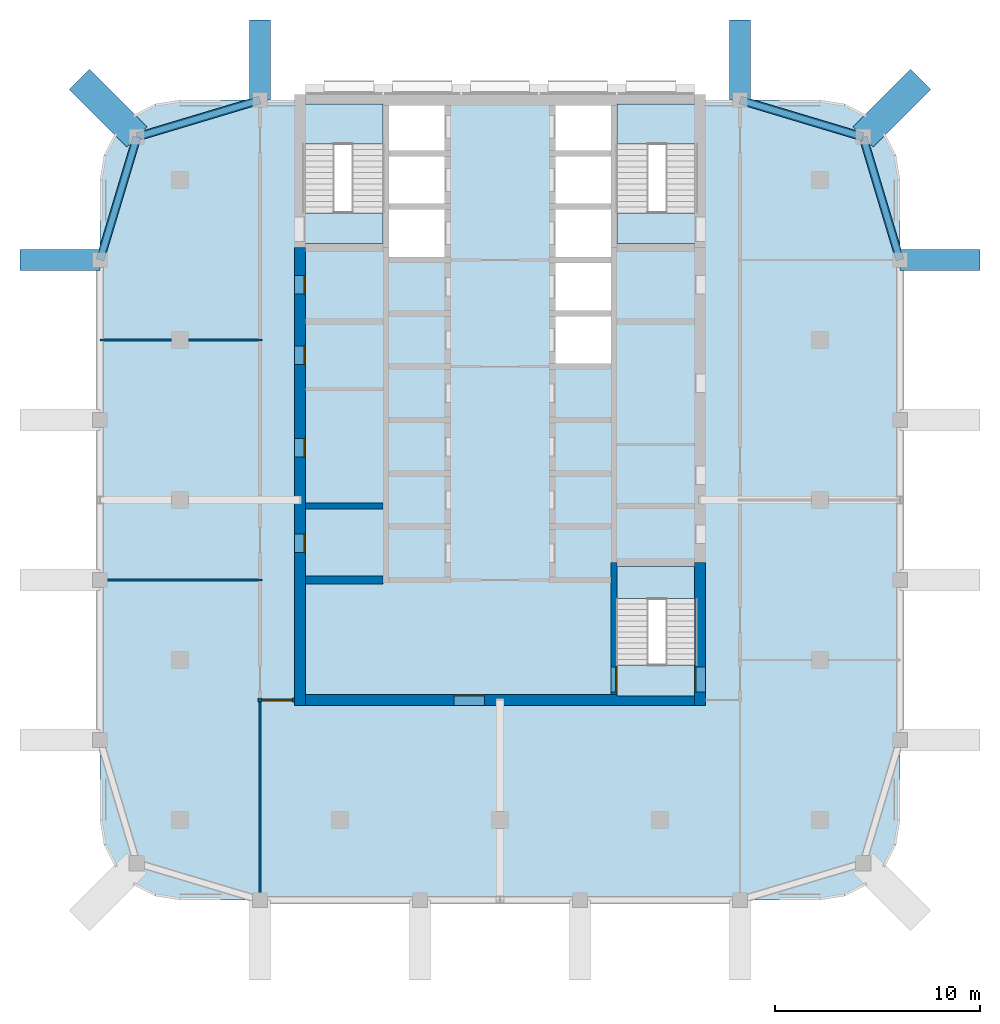
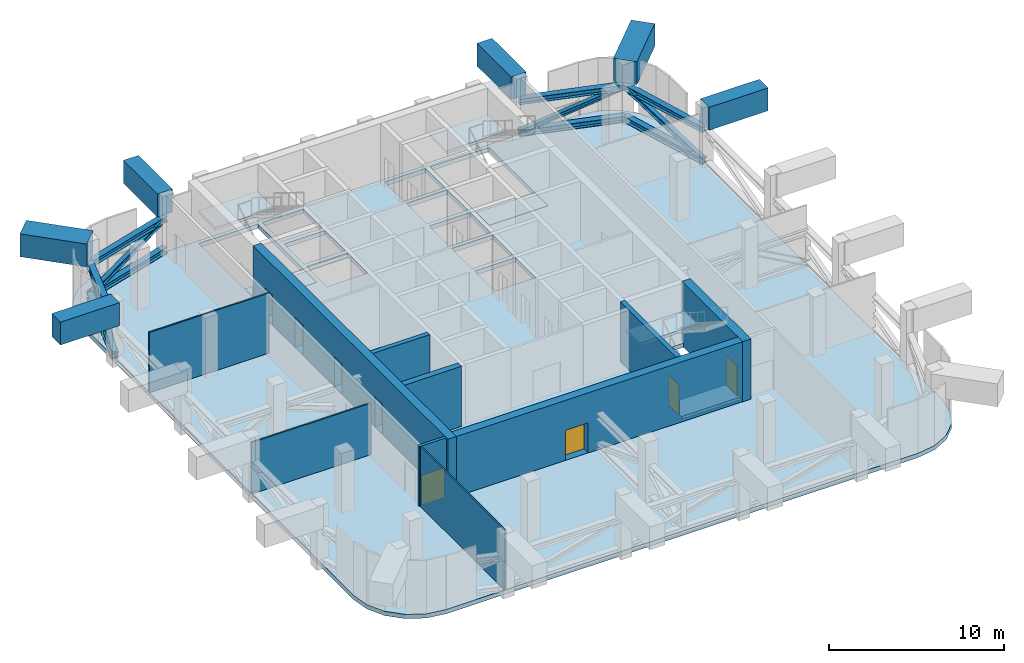
# One storey, part 5 of 13: 12 members, 10 walls, 8 doors, 7 slabs, 6 beams, 8 openings, 3 elements without a shape of their own.
"""IFC4 building model written with IfcOpenShell, lengths in metres."""

from ifc_helpers import new_model, si_unit, direction, frame, frame_2d, origin, origin_2d, place, context, subcontext, project, spatial, polyline, rectangle, i_section, outline, extrude, material, layer, layer_set, material_profile, profile_set, type_object, element, fill, aggregate, save


model = new_model("IFC4")

# Units and contexts
model_context = context("Model", 3, precision=1e-05, world=origin(), true_north=direction((0.0, 1.0)))
body_context = subcontext(model_context, "Body", "Model", "MODEL_VIEW")
ifc_project = project(units=[si_unit("LENGTHUNIT", "METRE"), si_unit("AREAUNIT", "SQUARE_METRE"), si_unit("VOLUMEUNIT", "CUBIC_METRE"), si_unit("PLANEANGLEUNIT", "RADIAN"), si_unit("MASSUNIT", "GRAM", prefix="KILO")], contexts=[model_context])

# Site, building, storey
site_placement = place(None, origin())
site = spatial("IfcSite", under=ifc_project, at=site_placement, CompositionType="ELEMENT")
building_placement = place(site_placement, origin())
building = spatial("IfcBuilding", under=site, at=building_placement, Name="Ludao Terraces", CompositionType="ELEMENT")
storey_placement = place(building_placement, frame((0.0, 0.0, 192.800048828125)))
storey = spatial("IfcBuildingStorey", under=building, at=storey_placement, Name="L52", CompositionType="ELEMENT", Elevation=192.800048828125)

# Members
ifc_material_1 = material(Name="Steel Q355", Category="steel")
ifc_material_profile_1 = material_profile(ifc_material_1, i_section(OverallWidth=0.39990234375, OverallDepth=0.39990234375, WebThickness=0.012939453125, FlangeThickness=0.02099609375, at=origin_2d()), Name="HW 400X400X13X21")
ifc_profile_set_1 = profile_set([ifc_material_profile_1], Name="Steel Q355")
member_type_1 = type_object("IfcMemberType", Name="Belt truss chord HW 400x400x13x21 Q355", PredefinedType="CHORD", material=ifc_profile_set_1)
for number, where, z_axis, x_axis, name in (
    (1, (67.300048828125, 82.699951171875, 2.39990234375), (0.957824139839, 0.287355036744, 0.0), (-0.287355036744, 0.957824139839, 0.0), "Truss chord L52 BT6T1"),
    (2, (67.300048828125, 82.699951171875, 0.199951171875), (0.957824139839, 0.287355036744, 0.0), (-0.287355036744, 0.957824139839, 0.0), "Truss chord L52 BT6B1"),
    (3, (96.699951171875, 84.5, 2.39990234375), (0.957824139839, -0.287355036744, 0.0), (0.287355036744, 0.957824139839, 0.0), "Truss chord L52 BT7T1"),
    (4, (96.699951171875, 84.5, 0.199951171875), (0.957824139839, -0.287355036744, 0.0), (0.287355036744, 0.957824139839, 0.0), "Truss chord L52 BT7B1"),
    (5, (65.5, 76.699951171875, 2.39990234375), (0.287355036744, 0.957824139839, 0.0), (-0.957824139839, 0.287355036744, 0.0), "Truss chord L52 BT12T1"),
    (6, (65.5, 76.699951171875, 0.199951171875), (0.287355036744, 0.957824139839, 0.0), (-0.957824139839, 0.287355036744, 0.0), "Truss chord L52 BT12B1"),
    (7, (104.5, 76.699951171875, 2.39990234375), (-0.287355036744, 0.957824139839, 0.0), (-0.957824139839, -0.287355036744, 0.0), "Truss chord L52 BT17T1"),
    (8, (104.5, 76.699951171875, 0.199951171875), (-0.287355036744, 0.957824139839, 0.0), (-0.957824139839, -0.287355036744, 0.0), "Truss chord L52 BT17B1"),
):
    element("IfcMember", number, at=place(storey_placement, frame(where, z_axis=z_axis, x_axis=x_axis)), inside=storey, type_object=member_type_1, Name=name, PredefinedType="CHORD", context=body_context, shape_type="SweptSolid", body=[
        extrude(i_section(OverallWidth=0.39990234375, OverallDepth=0.39990234375, WebThickness=0.012939453125, FlangeThickness=0.02099609375, at=origin_2d()), origin(), (0.0, 0.0, 1.0), 6.26416015625),
    ])
ifc_material_profile_2 = material_profile(ifc_material_1, i_section(OverallWidth=0.300048828125, OverallDepth=0.300048828125, WebThickness=0.010009765625, FlangeThickness=0.014892578125, at=origin_2d()), Name="HW 300X300X10X15")
ifc_profile_set_2 = profile_set([ifc_material_profile_2], Name="Steel Q355")
member_type_2 = type_object("IfcMemberType", Name="Belt truss diagonal HW 300x300x10x15 Q355", PredefinedType="BRACE", material=ifc_profile_set_2)
for number, where, z_axis, x_axis, name in (
    (9, (67.300048828125, 82.699951171875, 0.199951171875), (0.903713250067, 0.271121329457, 0.331354170587), (-0.287355036744, 0.957824139839, 0.0), "Truss diagonal L52 BT61"),
    (10, (96.699951171875, 84.5, 0.199951171875), (0.903713250067, -0.271121329457, 0.331354170587), (0.287355036744, 0.957824139839, 0.0), "Truss diagonal L52 BT71"),
    (11, (65.5, 76.699951171875, 0.199951171875), (0.271121329457, 0.903713250067, 0.331354170587), (-0.957824139839, 0.287355036744, 0.0), "Truss diagonal L52 BT121"),
    (12, (104.5, 76.699951171875, 0.199951171875), (-0.271121329457, 0.903713250067, 0.331354170587), (-0.957824139839, -0.287355036744, 0.0), "Truss diagonal L52 BT171"),
):
    element("IfcMember", number, at=place(storey_placement, frame(where, z_axis=z_axis, x_axis=x_axis)), inside=storey, type_object=member_type_2, Name=name, PredefinedType="BRACE", context=body_context, shape_type="SweptSolid", body=[
        extrude(i_section(OverallWidth=0.300048828125, OverallDepth=0.300048828125, WebThickness=0.010009765625, FlangeThickness=0.014892578125, at=origin_2d()), origin(), (0.0, 0.0, 1.0), 6.63916015625),
    ])

# Beams
ifc_material_2 = material(Name="Concrete C60", Category="concrete")
ifc_material_profile_3 = material_profile(ifc_material_2, rectangle(XDim=1.0, YDim=1.60009765625, at=origin_2d()), Name="1000 X 1600")
ifc_profile_set_3 = profile_set([ifc_material_profile_3], Name="Concrete C60")
beam_type_1 = type_object("IfcBeamType", Name="RC beam 1000x1600 C60", PredefinedType="BEAM", material=ifc_profile_set_3)
for number, where, z_axis, x_axis, name in (
    (13, (61.60009765625, 76.699951171875, 3.39990234375), (1.0, 0.0, 0.0), (0.0, 1.0, 0.0), "Transfer girder L52 corbel 4"),
    (14, (73.300048828125, 88.39990234375, 3.39990234375), (0.0, -1.0, 0.0), (1.0, 0.0, 0.0), "Transfer girder L52 corbel 6"),
    (15, (96.699951171875, 88.39990234375, 3.39990234375), (0.0, -1.0, 0.0), (1.0, 0.0, 0.0), "Transfer girder L52 corbel 10"),
    (16, (108.39990234375, 76.699951171875, 3.39990234375), (-1.0, 0.0, 0.0), (0.0, -1.0, 0.0), "Transfer girder L52 corbel 14"),
):
    element("IfcBeam", number, at=place(storey_placement, frame(where, z_axis=z_axis, x_axis=x_axis)), inside=storey, type_object=beam_type_1, Name=name, PredefinedType="BEAM", context=body_context, shape_type="SweptSolid", body=[
        extrude(rectangle(XDim=1.0, YDim=1.60009765625, at=origin_2d()), origin(), (0.0, 0.0, 1.0), 3.89990234375),
    ])
ifc_material_profile_4 = material_profile(ifc_material_2, rectangle(XDim=1.39990234375, YDim=1.60009765625, at=origin_2d()), Name="1400 X 1600")
ifc_profile_set_4 = profile_set([ifc_material_profile_4], Name="Concrete C60")
beam_type_2 = type_object("IfcBeamType", Name="RC beam 1400x1600 C60", PredefinedType="BEAM", material=ifc_profile_set_4)
for number, where, z_axis, x_axis, name in (
    (17, (64.5, 85.5, 3.39990234375), (0.707106781187, -0.707106781187, 0.0), (0.707106781187, 0.707106781187, 0.0), "Transfer girder L52 corner NW"),
    (18, (105.5, 85.5, 3.39990234375), (-0.707106781187, -0.707106781187, 0.0), (0.707106781187, -0.707106781187, 0.0), "Transfer girder L52 corner NE"),
):
    element("IfcBeam", number, at=place(storey_placement, frame(where, z_axis=z_axis, x_axis=x_axis)), inside=storey, type_object=beam_type_2, Name=name, PredefinedType="BEAM", context=body_context, shape_type="SweptSolid", body=[
        extrude(rectangle(XDim=1.39990234375, YDim=1.60009765625, at=origin_2d()), origin(), (0.0, 0.0, 1.0), 3.9599609375),
    ])

# Slab
ifc_material_3 = material(Name="Concrete C40", Category="concrete")
ifc_layer_1 = layer(ifc_material_3, 0.300048828125)
ifc_layer_set_1 = layer_set([ifc_layer_1], Name="Floor slab 300 C40")
slab_type_1 = type_object("IfcSlabType", Name="Floor slab 300 C40", PredefinedType="FLOOR", material=ifc_layer_set_1)
slab_1_placement = place(storey_placement, frame((0.0, 0.0, -0.300048828125)))
element("IfcSlab", 19, at=slab_1_placement, inside=storey, type_object=slab_type_1, Name="Slab L52", PredefinedType="FLOOR", context=body_context, shape_type="SweptSolid", body=[
    extrude(outline(polyline([(100.60009765625, 45.5), (101.80517578125, 45.69091796875), (102.892333984375, 46.244873046875), (103.755126953125, 47.107666015625), (104.30908203125, 48.19482421875), (104.5, 49.39990234375), (104.5, 80.60009765625), (104.30908203125, 81.80517578125), (103.755126953125, 82.892333984375), (102.892333984375, 83.755126953125), (101.80517578125, 84.30908203125), (100.60009765625, 84.5), (69.39990234375, 84.5), (68.19482421875, 84.30908203125), (67.107666015625, 83.755126953125), (66.244873046875, 82.892333984375), (65.69091796875, 81.80517578125), (65.5, 80.60009765625), (65.5, 49.39990234375), (65.69091796875, 48.19482421875), (66.244873046875, 47.107666015625), (67.107666015625, 46.244873046875), (68.19482421875, 45.69091796875), (69.39990234375, 45.5), (100.60009765625, 45.5)]), holes=[polyline([(79.60009765625, 76.85009765625), (82.300048828125, 76.85009765625), (82.300048828125, 79.14990234375), (79.60009765625, 79.14990234375), (79.60009765625, 76.85009765625)]), polyline([(79.60009765625, 79.449951171875), (82.300048828125, 79.449951171875), (82.300048828125, 81.75), (79.60009765625, 81.75), (79.60009765625, 79.449951171875)]), polyline([(79.60009765625, 82.050048828125), (82.300048828125, 82.050048828125), (82.300048828125, 84.239990234375), (79.60009765625, 84.239990234375), (79.60009765625, 82.050048828125)]), polyline([(87.699951171875, 71.64990234375), (90.39990234375, 71.64990234375), (90.39990234375, 73.949951171875), (87.699951171875, 73.949951171875), (87.699951171875, 71.64990234375)]), polyline([(87.699951171875, 74.25), (90.39990234375, 74.25), (90.39990234375, 76.550048828125), (87.699951171875, 76.550048828125), (87.699951171875, 74.25)]), polyline([(87.699951171875, 76.85009765625), (90.39990234375, 76.85009765625), (90.39990234375, 79.14990234375), (87.699951171875, 79.14990234375), (87.699951171875, 76.85009765625)]), polyline([(87.699951171875, 79.449951171875), (90.39990234375, 79.449951171875), (90.39990234375, 81.75), (87.699951171875, 81.75), (87.699951171875, 79.449951171875)]), polyline([(87.699951171875, 82.050048828125), (90.39990234375, 82.050048828125), (90.39990234375, 84.239990234375), (87.699951171875, 84.239990234375), (87.699951171875, 82.050048828125)]), polyline([(75.39990234375, 77.5), (79.300048828125, 77.5), (79.300048828125, 84.239990234375), (75.39990234375, 84.239990234375), (75.39990234375, 77.5)]), polyline([(90.699951171875, 77.5), (94.60009765625, 77.5), (94.60009765625, 84.239990234375), (90.699951171875, 84.239990234375), (90.699951171875, 77.5)]), polyline([(90.699951171875, 55.449951171875), (94.60009765625, 55.449951171875), (94.60009765625, 61.75), (90.699951171875, 61.75), (90.699951171875, 55.449951171875)])]), origin(), (0.0, 0.0, 1.0), 0.300048828125),
])

# Stair, slabs
stair_type = type_object("IfcStairType", Name="INT Stair", PredefinedType="HALF_TURN_STAIR", material=ifc_material_3)
stair_1_placement = place(storey_placement, origin())
stair_1 = element("IfcStair", 20, at=stair_1_placement, inside=storey, type_object=stair_type, Name="EXIT STAIR 1", PredefinedType="HALF_TURN_STAIR")
ifc_layer_2 = layer(ifc_material_3, 0.199951171875)
ifc_layer_set_2 = layer_set([ifc_layer_2], Name="INT Stair landing 200")
slab_type_2 = type_object("IfcSlabType", Name="INT Stair landing 200", PredefinedType="LANDING", material=ifc_layer_set_2)
slab_2_placement = place(storey_placement, frame((0.0, 0.0, 2.050048828125)))
slab_2 = element("IfcSlab", 21, at=slab_2_placement, type_object=slab_type_2, Name="ST1 landing 1", PredefinedType="LANDING", context=body_context, shape_type="SweptSolid", body=[
    extrude(outline(polyline([(75.39990234375, 82.360107421875), (79.300048828125, 82.360107421875), (79.300048828125, 84.300048828125), (75.39990234375, 84.300048828125), (75.39990234375, 82.360107421875)])), origin(), (0.0, 0.0, 1.0), 0.199951171875),
])
slab_3_placement = place(storey_placement, frame((0.0, 0.0, -0.199951171875)))
slab_3 = element("IfcSlab", 22, at=slab_3_placement, type_object=slab_type_2, Name="ST1 landing 2", PredefinedType="LANDING", context=body_context, shape_type="SweptSolid", body=[
    extrude(outline(polyline([(75.39990234375, 77.5), (79.300048828125, 77.5), (79.300048828125, 79.0), (75.39990234375, 79.0), (75.39990234375, 77.5)])), origin(), (0.0, 0.0, 1.0), 0.199951171875),
])
aggregate(stair_1, [slab_2, slab_3])

stair_2_placement = place(storey_placement, origin())
stair_2 = element("IfcStair", 23, at=stair_2_placement, inside=storey, type_object=stair_type, Name="EXIT STAIR 2", PredefinedType="HALF_TURN_STAIR")
slab_4_placement = place(storey_placement, frame((0.0, 0.0, 2.050048828125)))
slab_4 = element("IfcSlab", 24, at=slab_4_placement, type_object=slab_type_2, Name="ST2 landing 1", PredefinedType="LANDING", context=body_context, shape_type="SweptSolid", body=[
    extrude(outline(polyline([(90.699951171875, 82.360107421875), (94.60009765625, 82.360107421875), (94.60009765625, 84.300048828125), (90.699951171875, 84.300048828125), (90.699951171875, 82.360107421875)])), origin(), (0.0, 0.0, 1.0), 0.199951171875),
])
slab_5_placement = place(storey_placement, frame((0.0, 0.0, -0.199951171875)))
slab_5 = element("IfcSlab", 25, at=slab_5_placement, type_object=slab_type_2, Name="ST2 landing 2", PredefinedType="LANDING", context=body_context, shape_type="SweptSolid", body=[
    extrude(outline(polyline([(90.699951171875, 77.5), (94.60009765625, 77.5), (94.60009765625, 79.0), (90.699951171875, 79.0), (90.699951171875, 77.5)])), origin(), (0.0, 0.0, 1.0), 0.199951171875),
])
aggregate(stair_2, [slab_4, slab_5])

stair_3_placement = place(storey_placement, origin())
stair_3 = element("IfcStair", 26, at=stair_3_placement, inside=storey, type_object=stair_type, Name="EXIT STAIR 3", PredefinedType="HALF_TURN_STAIR")
slab_6_placement = place(storey_placement, frame((0.0, 0.0, 2.050048828125)))
slab_6 = element("IfcSlab", 27, at=slab_6_placement, type_object=slab_type_2, Name="ST3 landing 1", PredefinedType="LANDING", context=body_context, shape_type="SweptSolid", body=[
    extrude(outline(polyline([(90.699951171875, 60.18994140625), (94.60009765625, 60.18994140625), (94.60009765625, 61.75), (90.699951171875, 61.75), (90.699951171875, 60.18994140625)])), origin(), (0.0, 0.0, 1.0), 0.199951171875),
])
slab_7_placement = place(storey_placement, frame((0.0, 0.0, -0.199951171875)))
slab_7 = element("IfcSlab", 28, at=slab_7_placement, type_object=slab_type_2, Name="ST3 landing 2", PredefinedType="LANDING", context=body_context, shape_type="SweptSolid", body=[
    extrude(outline(polyline([(90.699951171875, 55.449951171875), (94.60009765625, 55.449951171875), (94.60009765625, 56.949951171875), (90.699951171875, 56.949951171875), (90.699951171875, 55.449951171875)])), origin(), (0.0, 0.0, 1.0), 0.199951171875),
])
aggregate(stair_3, [slab_6, slab_7])

# Wall, openings, doors
ifc_layer_3 = layer(ifc_material_2, 0.550048828125)
ifc_layer_set_3 = layer_set([ifc_layer_3], Name="Core wall 550 C60")
wall_type_1 = type_object("IfcWallType", Name="Core wall 550 C60", PredefinedType="SOLIDWALL", material=ifc_layer_set_3)
wall_1_placement = place(storey_placement, frame((75.25, 54.97509765625, -0.300048828125), z_axis=(0.0, 0.0, 1.0), x_axis=(0.0, 1.0, 0.0)))
wall_1 = element("IfcWall", 29, at=wall_1_placement, inside=storey, type_object=wall_type_1, Name="Core wall L52 outer-W", PredefinedType="SOLIDWALL", context=body_context, shape_type="SweptSolid", body=[
    extrude(rectangle(XDim=22.324951171875, YDim=0.550048828125, at=frame_2d((11.16259765625, 0.0))), origin(), (0.0, 0.0, 1.0), 4.5),
])
opening_1_placement = place(wall_1_placement, frame((7.47509765625, 0.0, 0.300048828125)))
opening_1 = element("IfcOpeningElement", 30, at=opening_1_placement, cuts=wall_1, Name="Opening L52-012", PredefinedType="OPENING", context=body_context, shape_type="SweptSolid", body=[
    extrude(rectangle(XDim=0.89990234375, YDim=2.10009765625, at=frame_2d((0.449951171875, 1.050048828125))), frame((0.0, 0.28515625, 0.0), z_axis=(0.0, -1.0, 0.0), x_axis=(1.0, 0.0, 0.0)), (0.0, 0.0, 1.0), 0.570068359375),
])
opening_2_placement = place(wall_1_placement, frame((12.125, 0.0, 0.300048828125)))
opening_2 = element("IfcOpeningElement", 31, at=opening_2_placement, cuts=wall_1, Name="Opening L52-019", PredefinedType="OPENING", context=body_context, shape_type="SweptSolid", body=[
    extrude(rectangle(XDim=0.89990234375, YDim=2.10009765625, at=frame_2d((0.449951171875, 1.050048828125))), frame((0.0, 0.28515625, 0.0), z_axis=(0.0, -1.0, 0.0), x_axis=(1.0, 0.0, 0.0)), (0.0, 0.0, 1.0), 0.570068359375),
])
opening_3_placement = place(wall_1_placement, frame((16.625, 0.0, 0.300048828125)))
opening_3 = element("IfcOpeningElement", 32, at=opening_3_placement, cuts=wall_1, Name="Opening L52-026", PredefinedType="OPENING", context=body_context, shape_type="SweptSolid", body=[
    extrude(rectangle(XDim=0.89990234375, YDim=2.10009765625, at=frame_2d((0.449951171875, 1.050048828125))), frame((0.0, 0.28515625, 0.0), z_axis=(0.0, -1.0, 0.0), x_axis=(1.0, 0.0, 0.0)), (0.0, 0.0, 1.0), 0.570068359375),
])
opening_4_placement = place(wall_1_placement, frame((20.074951171875, 0.0, 0.300048828125)))
opening_4 = element("IfcOpeningElement", 33, at=opening_4_placement, cuts=wall_1, Name="Opening L52-031", PredefinedType="OPENING", context=body_context, shape_type="SweptSolid", body=[
    extrude(rectangle(XDim=0.89990234375, YDim=2.10009765625, at=frame_2d((0.449951171875, 1.050048828125))), frame((0.0, 0.28515625, 0.0), z_axis=(0.0, -1.0, 0.0), x_axis=(1.0, 0.0, 0.0)), (0.0, 0.0, 1.0), 0.570068359375),
])
ifc_material_4 = material(Name="Steel Q235", Category="steel")
door_type_1 = type_object("IfcDoorType", Name="INT Riser door 900", OperationType="SINGLE_SWING_LEFT", PredefinedType="DOOR", material=ifc_material_4)
door_1_placement = place(opening_1_placement, origin())
door_1 = element("IfcDoor", 34, at=door_1_placement, inside=storey, type_object=door_type_1, Name="DOOR 012", OperationType="SINGLE_SWING_RIGHT", OverallHeight=2.10009765625, OverallWidth=0.89990234375, PredefinedType="DOOR", context=body_context, shape_type="SweptSolid", body=[
    extrude(rectangle(XDim=0.89990234375, YDim=2.10009765625, at=frame_2d((0.449951171875, 1.050048828125))), frame((0.0, -0.2099609375, 0.0), z_axis=(0.0, -1.0, 0.0), x_axis=(1.0, 0.0, 0.0)), (0.0, 0.0, 1.0), 0.050048828125),
])
fill(opening_1, door_1)
door_2_placement = place(opening_4_placement, origin())
door_2 = element("IfcDoor", 35, at=door_2_placement, inside=storey, type_object=door_type_1, Name="DOOR 031", OperationType="SINGLE_SWING_RIGHT", OverallHeight=2.10009765625, OverallWidth=0.89990234375, PredefinedType="DOOR", context=body_context, shape_type="SweptSolid", body=[
    extrude(rectangle(XDim=0.89990234375, YDim=2.10009765625, at=frame_2d((0.449951171875, 1.050048828125))), frame((0.0, -0.2099609375, 0.0), z_axis=(0.0, -1.0, 0.0), x_axis=(1.0, 0.0, 0.0)), (0.0, 0.0, 1.0), 0.050048828125),
])
fill(opening_4, door_2)
ifc_material_5 = material(Name="Timber door leaf", Category="wood")
door_type_2 = type_object("IfcDoorType", Name="INT Room door 900", OperationType="SINGLE_SWING_LEFT", PredefinedType="DOOR", material=ifc_material_5)
door_3_placement = place(opening_2_placement, origin())
door_3 = element("IfcDoor", 36, at=door_3_placement, inside=storey, type_object=door_type_2, Name="DOOR 019", OperationType="SINGLE_SWING_RIGHT", OverallHeight=2.10009765625, OverallWidth=0.89990234375, PredefinedType="DOOR", context=body_context, shape_type="SweptSolid", body=[
    extrude(rectangle(XDim=0.89990234375, YDim=2.10009765625, at=frame_2d((0.449951171875, 1.050048828125))), frame((0.0, -0.2099609375, 0.0), z_axis=(0.0, -1.0, 0.0), x_axis=(1.0, 0.0, 0.0)), (0.0, 0.0, 1.0), 0.050048828125),
])
fill(opening_2, door_3)
door_4_placement = place(opening_3_placement, origin())
door_4 = element("IfcDoor", 37, at=door_4_placement, inside=storey, type_object=door_type_2, Name="DOOR 026", OperationType="SINGLE_SWING_LEFT", OverallHeight=2.10009765625, OverallWidth=0.89990234375, PredefinedType="DOOR", context=body_context, shape_type="SweptSolid", body=[
    extrude(rectangle(XDim=0.89990234375, YDim=2.10009765625, at=frame_2d((0.449951171875, 1.050048828125))), frame((0.0, -0.2099609375, 0.0), z_axis=(0.0, -1.0, 0.0), x_axis=(1.0, 0.0, 0.0)), (0.0, 0.0, 1.0), 0.050048828125),
])
fill(opening_3, door_4)

# Wall, opening, door
wall_2_placement = place(storey_placement, frame((94.75, 54.97509765625, -0.300048828125), z_axis=(0.0, 0.0, 1.0), x_axis=(0.0, 1.0, 0.0)))
wall_2 = element("IfcWall", 38, at=wall_2_placement, inside=storey, type_object=wall_type_1, Name="Core wall L52 outer-E-S3", PredefinedType="SOLIDWALL", context=body_context, shape_type="SweptSolid", body=[
    extrude(rectangle(XDim=6.974853515625, YDim=0.550048828125, at=frame_2d((3.4873046875, 0.0))), origin(), (0.0, 0.0, 1.0), 4.5),
])
opening_5_placement = place(wall_2_placement, frame((0.675048828125, 0.0, 0.300048828125)))
opening_5 = element("IfcOpeningElement", 39, at=opening_5_placement, cuts=wall_2, Name="Opening L52-005", PredefinedType="OPENING", context=body_context, shape_type="SweptSolid", body=[
    extrude(rectangle(XDim=1.199951171875, YDim=2.10009765625, at=frame_2d((0.60009765625, 1.050048828125))), frame((0.0, 0.28515625, 0.0), z_axis=(0.0, -1.0, 0.0), x_axis=(1.0, 0.0, 0.0)), (0.0, 0.0, 1.0), 0.570068359375),
])
door_type_3 = type_object("IfcDoorType", Name="INT Stair door 1200", OperationType="DOUBLE_DOOR_SINGLE_SWING", PredefinedType="DOOR", material=ifc_material_4)
door_5_placement = place(opening_5_placement, origin())
door_5 = element("IfcDoor", 40, at=door_5_placement, inside=storey, type_object=door_type_3, Name="DOOR 005", OperationType="DOUBLE_DOOR_SINGLE_SWING", OverallHeight=2.10009765625, OverallWidth=1.199951171875, PredefinedType="DOOR", context=body_context, shape_type="SweptSolid", body=[
    extrude(rectangle(XDim=1.199951171875, YDim=2.10009765625, at=frame_2d((0.60009765625, 1.050048828125))), frame((0.0, 0.26025390625, 0.0), z_axis=(0.0, -1.0, 0.0), x_axis=(1.0, 0.0, 0.0)), (0.0, 0.0, 1.0), 0.050048828125),
])
fill(opening_5, door_5)

wall_3_placement = place(storey_placement, frame((75.52490234375, 55.25, -0.300048828125), z_axis=(0.0, 0.0, 1.0), x_axis=(1.0, 0.0, 0.0)))
wall_3 = element("IfcWall", 41, at=wall_3_placement, inside=storey, type_object=wall_type_1, Name="Core wall L52 outer-S", PredefinedType="SOLIDWALL", context=body_context, shape_type="SweptSolid", body=[
    extrude(rectangle(XDim=18.9501953125, YDim=0.550048828125, at=frame_2d((9.47509765625, 0.0))), origin(), (0.0, 0.0, 1.0), 4.5),
])
opening_6_placement = place(wall_3_placement, frame((7.22509765625, 0.0, 0.300048828125)))
opening_6 = element("IfcOpeningElement", 42, at=opening_6_placement, cuts=wall_3, Name="Opening L52-002", PredefinedType="OPENING", context=body_context, shape_type="SweptSolid", body=[
    extrude(rectangle(XDim=1.5, YDim=2.10009765625, at=frame_2d((0.75, 1.050048828125))), frame((0.0, 0.28515625, 0.0), z_axis=(0.0, -1.0, 0.0), x_axis=(1.0, 0.0, 0.0)), (0.0, 0.0, 1.0), 0.570068359375),
])
door_type_4 = type_object("IfcDoorType", Name="INT Lobby door 1500", OperationType="DOUBLE_DOOR_SINGLE_SWING", PredefinedType="DOOR", material=ifc_material_4)
door_6_placement = place(opening_6_placement, origin())
door_6 = element("IfcDoor", 43, at=door_6_placement, inside=storey, type_object=door_type_4, Name="DOOR 002", OperationType="DOUBLE_DOOR_SINGLE_SWING", OverallHeight=2.10009765625, OverallWidth=1.5, PredefinedType="DOOR", context=body_context, shape_type="SweptSolid", body=[
    extrude(rectangle(XDim=1.5, YDim=2.10009765625, at=frame_2d((0.75, 1.050048828125))), frame((0.0, 0.26025390625, 0.0), z_axis=(0.0, -1.0, 0.0), x_axis=(1.0, 0.0, 0.0)), (0.0, 0.0, 1.0), 0.050048828125),
])
fill(opening_6, door_6)

ifc_material_6 = material(Name="Autoclaved aerated concrete block B06 A3.5", Category="concrete")
ifc_layer_4 = layer(ifc_material_6, 0.199951171875)
ifc_layer_set_4 = layer_set([ifc_layer_4], Name="INT Entrance wall 200")
wall_type_2 = type_object("IfcWallType", Name="INT Entrance wall 200", PredefinedType="PARTITIONING", material=ifc_layer_set_4)
wall_4_placement = place(storey_placement, frame((73.2001953125, 55.25, 0.0), z_axis=(0.0, 0.0, 1.0), x_axis=(1.0, 0.0, 0.0)))
wall_4 = element("IfcWall", 44, at=wall_4_placement, inside=storey, type_object=wall_type_2, Name="PW-L52-PW000", PredefinedType="PARTITIONING", context=body_context, shape_type="SweptSolid", body=[
    extrude(rectangle(XDim=1.77490234375, YDim=0.199951171875, at=frame_2d((0.887451171875, 0.0))), origin(), (0.0, 0.0, 1.0), 4.199951171875),
])
opening_7_placement = place(wall_4_placement, frame((0.1748046875, 0.0, 0.0)))
opening_7 = element("IfcOpeningElement", 45, at=opening_7_placement, cuts=wall_4, Name="Opening L52-001", PredefinedType="OPENING", context=body_context, shape_type="SweptSolid", body=[
    extrude(rectangle(XDim=1.5, YDim=2.10009765625, at=frame_2d((0.75, 1.050048828125))), frame((0.0, 0.10986328125, 0.0), z_axis=(0.0, -1.0, 0.0), x_axis=(1.0, 0.0, 0.0)), (0.0, 0.0, 1.0), 0.219970703125),
])
door_7_placement = place(opening_7_placement, origin())
door_7 = element("IfcDoor", 46, at=door_7_placement, inside=storey, type_object=door_type_4, Name="DOOR 001", OperationType="DOUBLE_DOOR_SINGLE_SWING", OverallHeight=2.10009765625, OverallWidth=1.5, PredefinedType="DOOR", context=body_context, shape_type="SweptSolid", body=[
    extrude(rectangle(XDim=1.5, YDim=2.10009765625, at=frame_2d((0.75, 1.050048828125))), frame((0.0, 0.02490234375, 0.0), z_axis=(0.0, -1.0, 0.0), x_axis=(1.0, 0.0, 0.0)), (0.0, 0.0, 1.0), 0.050048828125),
])
fill(opening_7, door_7)

# Walls
ifc_material_7 = material(Name="Gypsum plasterboard", Category="gypsum")
ifc_layer_5 = layer(ifc_material_7, 0.012451171875, Category="gypsum")
ifc_material_8 = material(Name="Mineral wool")
ifc_layer_6 = layer(ifc_material_8, 0.06005859375, Name="insulation")
ifc_layer_7 = layer(ifc_material_4, 0.014892578125, Name="stud")
ifc_layer_8 = layer(ifc_material_7, 0.012451171875, Category="gypsum")
ifc_layer_set_5 = layer_set([ifc_layer_5, ifc_layer_6, ifc_layer_7, ifc_layer_8], Name="INT Partition 100")
wall_type_3 = type_object("IfcWallType", Name="INT Partition 100", PredefinedType="PARTITIONING", material=ifc_layer_set_5)
wall_5_placement = place(storey_placement, frame((65.5, 61.10009765625, 0.0), z_axis=(0.0, 0.0, 1.0), x_axis=(1.0, 0.0, 0.0)))
element("IfcWall", 47, at=wall_5_placement, inside=storey, type_object=wall_type_3, Name="PW-L52-PW003", PredefinedType="PARTITIONING", context=body_context, shape_type="SweptSolid", body=[
    extrude(rectangle(XDim=7.900146484375, YDim=0.10009765625, at=frame_2d((3.9501953125, 0.0))), origin(), (0.0, 0.0, 1.0), 3.599853515625),
])
wall_6_placement = place(storey_placement, frame((65.5, 72.800048828125, 0.0), z_axis=(0.0, 0.0, 1.0), x_axis=(1.0, 0.0, 0.0)))
element("IfcWall", 48, at=wall_6_placement, inside=storey, type_object=wall_type_3, Name="PW-L52-PW009", PredefinedType="PARTITIONING", context=body_context, shape_type="SweptSolid", body=[
    extrude(rectangle(XDim=7.900146484375, YDim=0.10009765625, at=frame_2d((3.9501953125, 0.0))), origin(), (0.0, 0.0, 1.0), 4.199951171875),
])
wall_7_placement = place(storey_placement, frame((73.300048828125, 45.5, 0.0), z_axis=(0.0, 0.0, 1.0), x_axis=(0.0, 1.0, 0.0)))
element("IfcWall", 49, at=wall_7_placement, inside=storey, type_object=wall_type_3, Name="PW-L52-PW012", PredefinedType="PARTITIONING", context=body_context, shape_type="SweptSolid", body=[
    extrude(rectangle(XDim=9.650146484375, YDim=0.10009765625, at=frame_2d((4.8251953125, 0.0))), origin(), (0.0, 0.0, 1.0), 4.199951171875),
])

# Wall, opening, door
ifc_material_9 = material(Name="Concrete C55", Category="concrete")
ifc_layer_9 = layer(ifc_material_9, 0.300048828125)
ifc_layer_set_6 = layer_set([ifc_layer_9], Name="Shaft wall 300 C55")
wall_type_4 = type_object("IfcWallType", Name="Shaft wall 300 C55", PredefinedType="SOLIDWALL", material=ifc_layer_set_6)
wall_8_placement = place(storey_placement, frame((90.550048828125, 55.52490234375, -0.300048828125), z_axis=(0.0, 0.0, 1.0), x_axis=(0.0, 1.0, 0.0)))
wall_8 = element("IfcWall", 50, at=wall_8_placement, inside=storey, type_object=wall_type_4, Name="Core wall L52 back-E-S3", PredefinedType="SOLIDWALL", context=body_context, shape_type="SweptSolid", body=[
    extrude(rectangle(XDim=6.425048828125, YDim=0.300048828125, at=frame_2d((3.21240234375, 0.0))), origin(), (0.0, 0.0, 1.0), 4.5),
])
opening_8_placement = place(wall_8_placement, frame((0.125, 0.0, 0.300048828125)))
opening_8 = element("IfcOpeningElement", 51, at=opening_8_placement, cuts=wall_8, Name="Opening L52-004", PredefinedType="OPENING", context=body_context, shape_type="SweptSolid", body=[
    extrude(rectangle(XDim=1.199951171875, YDim=2.10009765625, at=frame_2d((0.60009765625, 1.050048828125))), frame((0.0, 0.16015625, 0.0), z_axis=(0.0, -1.0, 0.0), x_axis=(1.0, 0.0, 0.0)), (0.0, 0.0, 1.0), 0.320068359375),
])
door_8_placement = place(opening_8_placement, origin())
door_8 = element("IfcDoor", 52, at=door_8_placement, inside=storey, type_object=door_type_3, Name="DOOR 004", OperationType="DOUBLE_DOOR_SINGLE_SWING", OverallHeight=2.10009765625, OverallWidth=1.199951171875, PredefinedType="DOOR", context=body_context, shape_type="SweptSolid", body=[
    extrude(rectangle(XDim=1.199951171875, YDim=2.10009765625, at=frame_2d((0.60009765625, 1.050048828125))), frame((0.0, -0.0849609375, 0.0), z_axis=(0.0, -1.0, 0.0), x_axis=(1.0, 0.0, 0.0)), (0.0, 0.0, 1.0), 0.050048828125),
])
fill(opening_8, door_8)

# Walls
wall_9_placement = place(storey_placement, frame((75.52490234375, 64.699951171875, -0.300048828125), z_axis=(0.0, 0.0, 1.0), x_axis=(1.0, 0.0, 0.0)))
element("IfcWall", 53, at=wall_9_placement, inside=storey, type_object=wall_type_4, Name="Core wall L52 riser-a-W", PredefinedType="SOLIDWALL", context=body_context, shape_type="SweptSolid", body=[
    extrude(rectangle(XDim=3.775146484375, YDim=0.300048828125, at=frame_2d((1.8876953125, 0.0))), origin(), (0.0, 0.0, 1.0), 4.5),
])
ifc_layer_10 = layer(ifc_material_9, 0.39990234375)
ifc_layer_set_7 = layer_set([ifc_layer_10], Name="Shaft wall 400 C55")
wall_type_5 = type_object("IfcWallType", Name="Shaft wall 400 C55", PredefinedType="SOLIDWALL", material=ifc_layer_set_7)
wall_10_placement = place(storey_placement, frame((75.52490234375, 61.10009765625, -0.300048828125), z_axis=(0.0, 0.0, 1.0), x_axis=(1.0, 0.0, 0.0)))
element("IfcWall", 54, at=wall_10_placement, inside=storey, type_object=wall_type_5, Name="Core wall L52 hall-W", PredefinedType="SOLIDWALL", context=body_context, shape_type="SweptSolid", body=[
    extrude(rectangle(XDim=3.775146484375, YDim=0.39990234375, at=frame_2d((1.8876953125, 0.0))), origin(), (0.0, 0.0, 1.0), 4.5),
])

save(model, "model.ifc")
